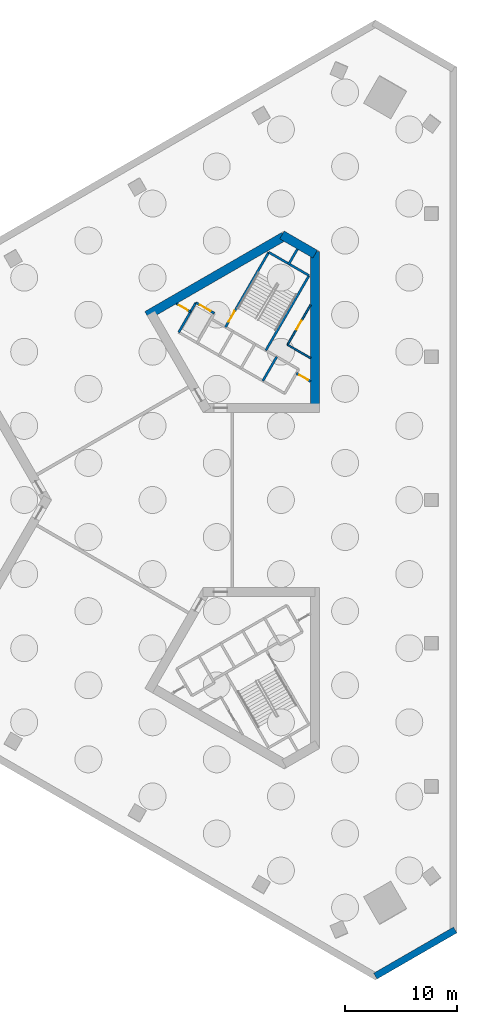
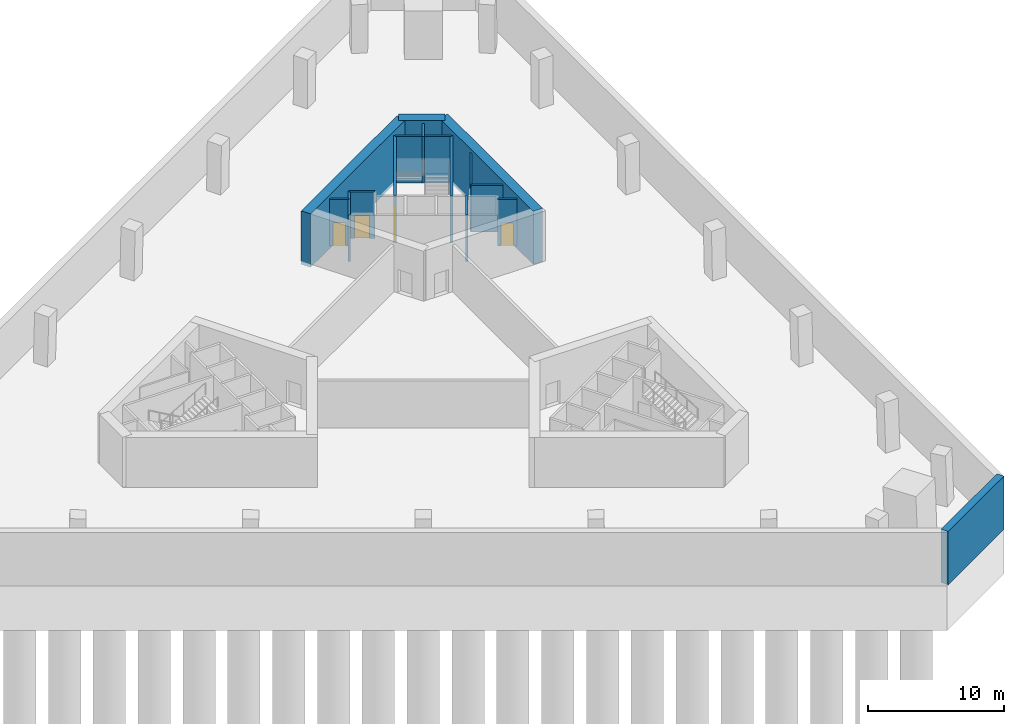
# One storey, part 4 of 7: 15 walls, 5 doors, 5 openings.
"""IFC4 building model written with IfcOpenShell, lengths in metres."""

from ifc_helpers import new_model, si_unit, direction, frame, frame_2d, origin, place, context, subcontext, project, spatial, rectangle, extrude, material, layer, layer_set, type_object, element, fill, save


model = new_model("IFC4")

# Units and contexts
model_context = context("Model", 3, precision=1e-05, world=origin(), true_north=direction((0.0, 1.0)))
body_context = subcontext(model_context, "Body", "Model", "MODEL_VIEW")
ifc_project = project(units=[si_unit("LENGTHUNIT", "METRE"), si_unit("AREAUNIT", "SQUARE_METRE"), si_unit("VOLUMEUNIT", "CUBIC_METRE"), si_unit("PLANEANGLEUNIT", "RADIAN"), si_unit("MASSUNIT", "GRAM", prefix="KILO")], contexts=[model_context])

# Site, building, storey
site_placement = place(None, origin())
site = spatial("IfcSite", under=ifc_project, at=site_placement, CompositionType="ELEMENT")
building_placement = place(site_placement, origin())
building = spatial("IfcBuilding", under=site, at=building_placement, Name="Jabali Bay Hotel Tower and Convention Centre", CompositionType="ELEMENT")
storey_placement = place(building_placement, frame((0.0, 0.0, -9.0)))
storey = spatial("IfcBuildingStorey", under=building, at=storey_placement, Name="B2", CompositionType="ELEMENT", Elevation=-9.0)

# Wall
ifc_material_1 = material(Name="Concrete C40", Category="concrete")
ifc_layer_1 = layer(ifc_material_1, 0.199951171875)
ifc_layer_set_1 = layer_set([ifc_layer_1], Name="Concrete C40")
wall_type_1 = type_object("IfcWallType", Name="Core partition wall 200", PredefinedType="PARTITIONING", material=ifc_layer_set_1)
wall_1_placement = place(storey_placement, frame((87.090087890625, 100.9404296875, 0.0), z_axis=(0.0, 0.0, 1.0), x_axis=(0.499956811548, 0.866050337213, 0.0)))
element("IfcWall", 1, at=wall_1_placement, inside=storey, type_object=wall_type_1, Name="Core wall 1.5 B2", PredefinedType="PARTITIONING", context=body_context, shape_type="SweptSolid", body=[
    extrude(rectangle(XDim=1.623291015625, YDim=0.199951171875, at=frame_2d((0.8115234375, 0.0))), origin(), (0.0, 0.0, 1.0), 4.199951171875),
])

# Wall, opening, door
wall_2_placement = place(storey_placement, frame((89.080078125, 90.553955078125, 0.0), z_axis=(0.0, 0.0, 1.0), x_axis=(-0.866022048785, 0.500005810984, 0.0)))
wall_2 = element("IfcWall", 2, at=wall_2_placement, inside=storey, type_object=wall_type_1, Name="Core wall 1.11 B2", PredefinedType="PARTITIONING", context=body_context, shape_type="SweptSolid", body=[
    extrude(rectangle(XDim=1.466796875, YDim=0.199951171875, at=frame_2d((0.7333984375, 0.0))), origin(), (0.0, 0.0, 1.0), 4.199951171875),
])
opening_1_placement = place(wall_2_placement, frame((0.283447265625, 0.0, 0.0)))
opening_1 = element("IfcOpeningElement", 3, at=opening_1_placement, cuts=wall_2, Name="Opening D79", PredefinedType="OPENING", context=body_context, shape_type="SweptSolid", body=[
    extrude(rectangle(XDim=0.89990234375, YDim=2.10009765625, at=frame_2d((0.449951171875, 1.050048828125))), frame((0.0, 0.1103515625, 0.0), z_axis=(0.0, -1.0, 0.0), x_axis=(1.0, 0.0, 0.0)), (0.0, 0.0, 1.0), 0.220947265625),
])
ifc_material_2 = material(Name="Fire-rated steel door", Category="steel")
door_type_1 = type_object("IfcDoorType", Name="Vestibule fire door 900 x 2100", OperationType="NOTDEFINED", PredefinedType="NOTDEFINED", material=ifc_material_2)
door_1_placement = place(opening_1_placement, origin())
door_1 = element("IfcDoor", 4, at=door_1_placement, inside=storey, type_object=door_type_1, Name="Vestibule fire door D79", OperationType="SINGLE_SWING_LEFT", OverallHeight=2.10009765625, OverallWidth=0.89990234375, PredefinedType="NOTDEFINED", context=body_context, shape_type="SweptSolid", body=[
    extrude(rectangle(XDim=0.89990234375, YDim=2.10009765625, at=frame_2d((0.449951171875, 1.050048828125))), frame((0.0, 0.02490234375, 0.0), z_axis=(0.0, -1.0, 0.0), x_axis=(1.0, 0.0, 0.0)), (0.0, 0.0, 1.0), 0.050048828125),
])
fill(opening_1, door_1)

wall_3_placement = place(storey_placement, frame((78.380126953125, 96.754638671875, 0.0), z_axis=(0.0, 0.0, 1.0), x_axis=(-0.866003949776, 0.500037157592, 0.0)))
wall_3 = element("IfcWall", 5, at=wall_3_placement, inside=storey, type_object=wall_type_1, Name="Core wall 1.12 B2", PredefinedType="PARTITIONING", context=body_context, shape_type="SweptSolid", body=[
    extrude(rectangle(XDim=1.455078125, YDim=0.199951171875, at=frame_2d((0.7275390625, 0.0))), origin(), (0.0, 0.0, 1.0), 4.199951171875),
])
opening_2_placement = place(wall_3_placement, frame((0.277587890625, 0.0, 0.0)))
opening_2 = element("IfcOpeningElement", 6, at=opening_2_placement, cuts=wall_3, Name="Opening D78", PredefinedType="OPENING", context=body_context, shape_type="SweptSolid", body=[
    extrude(rectangle(XDim=0.89990234375, YDim=2.10009765625, at=frame_2d((0.449951171875, 1.050048828125))), frame((0.0, 0.1103515625, 0.0), z_axis=(0.0, -1.0, 0.0), x_axis=(1.0, 0.0, 0.0)), (0.0, 0.0, 1.0), 0.220947265625),
])
door_2_placement = place(opening_2_placement, origin())
door_2 = element("IfcDoor", 7, at=door_2_placement, inside=storey, type_object=door_type_1, Name="Vestibule fire door D78", OperationType="SINGLE_SWING_LEFT", OverallHeight=2.10009765625, OverallWidth=0.89990234375, PredefinedType="NOTDEFINED", context=body_context, shape_type="SweptSolid", body=[
    extrude(rectangle(XDim=0.89990234375, YDim=2.10009765625, at=frame_2d((0.449951171875, 1.050048828125))), frame((0.0, 0.02490234375, 0.0), z_axis=(0.0, -1.0, 0.0), x_axis=(1.0, 0.0, 0.0)), (0.0, 0.0, 1.0), 0.050048828125),
])
fill(opening_2, door_2)

ifc_material_3 = material(Name="Fire-rated board partition")
ifc_layer_2 = layer(ifc_material_3, 0.14990234375)
ifc_layer_set_2 = layer_set([ifc_layer_2], Name="Fire-rated board partition")
wall_type_2 = type_object("IfcWallType", Name="Core room partition 150", PredefinedType="PARTITIONING", material=ifc_layer_set_2)
wall_4_placement = place(storey_placement, frame((87.02099609375, 93.821044921875, 0.0), z_axis=(0.0, 0.0, 1.0), x_axis=(0.500028662945, 0.866008854593, 0.0)))
wall_4 = element("IfcWall", 8, at=wall_4_placement, inside=storey, type_object=wall_type_2, Name="Core wall 1.1 B2", PredefinedType="PARTITIONING", context=body_context, shape_type="SweptSolid", body=[
    extrude(rectangle(XDim=4.117919921875, YDim=0.14990234375, at=frame_2d((2.05908203125, 0.0))), origin(), (0.0, 0.0, 1.0), 4.199951171875),
])
opening_3_placement = place(wall_4_placement, frame((1.58154296875, 0.0, 0.0)))
opening_3 = element("IfcOpeningElement", 9, at=opening_3_placement, cuts=wall_4, Name="Opening D81", PredefinedType="OPENING", context=body_context, shape_type="SweptSolid", body=[
    extrude(rectangle(XDim=0.89990234375, YDim=2.10009765625, at=frame_2d((0.449951171875, 1.050048828125))), frame((0.0, 0.08544921875, 0.0), z_axis=(0.0, -1.0, 0.0), x_axis=(1.0, 0.0, 0.0)), (0.0, 0.0, 1.0), 0.1708984375),
])
door_type_2 = type_object("IfcDoorType", Name="Core room door 900 x 2100", OperationType="NOTDEFINED", PredefinedType="NOTDEFINED", material=ifc_material_2)
door_3_placement = place(opening_3_placement, origin())
door_3 = element("IfcDoor", 10, at=door_3_placement, inside=storey, type_object=door_type_2, Name="Core room door D81", OperationType="SINGLE_SWING_LEFT", OverallHeight=2.10009765625, OverallWidth=0.89990234375, PredefinedType="NOTDEFINED", context=body_context, shape_type="SweptSolid", body=[
    extrude(rectangle(XDim=0.89990234375, YDim=2.10009765625, at=frame_2d((0.449951171875, 1.050048828125))), frame((0.0, 0.02490234375, 0.0), z_axis=(0.0, -1.0, 0.0), x_axis=(1.0, 0.0, 0.0)), (0.0, 0.0, 1.0), 0.050048828125),
])
fill(opening_3, door_3)

# Walls
wall_5_placement = place(storey_placement, frame((89.080078125, 92.63232421875, 0.0), z_axis=(0.0, 0.0, 1.0), x_axis=(-0.866041951395, 0.499971337603, 0.0)))
element("IfcWall", 11, at=wall_5_placement, inside=storey, type_object=wall_type_2, Name="Core wall 1.15 B2", PredefinedType="PARTITIONING", context=body_context, shape_type="SweptSolid", body=[
    extrude(rectangle(XDim=2.377685546875, YDim=0.14990234375, at=frame_2d((1.18896484375, 0.0))), origin(), (0.0, 0.0, 1.0), 4.199951171875),
])
ifc_layer_3 = layer(ifc_material_1, 0.199951171875)
ifc_layer_set_3 = layer_set([ifc_layer_3], Name="Concrete C40")
wall_type_3 = type_object("IfcWallType", Name="Core stair wall 200", PredefinedType="SOLIDWALL", material=ifc_layer_set_3)
wall_6_placement = place(storey_placement, frame((84.8212890625, 90.61083984375, 0.0), z_axis=(0.0, 0.0, 1.0), x_axis=(0.499961042966, 0.86604789447, 0.0)))
element("IfcWall", 12, at=wall_6_placement, inside=storey, type_object=wall_type_3, Name="Core wall 1.2 B2", PredefinedType="SOLIDWALL", context=body_context, shape_type="SweptSolid", body=[
    extrude(rectangle(XDim=2.480224609375, YDim=0.199951171875, at=frame_2d((1.240234375, 0.0))), origin(), (0.0, 0.0, 1.0), 4.199951171875),
])
wall_7_placement = place(storey_placement, frame((85.0869140625, 93.3212890625, 0.0), z_axis=(0.0, 0.0, 1.0), x_axis=(0.500019787375, 0.866013979237, 0.0)))
element("IfcWall", 13, at=wall_7_placement, inside=storey, type_object=wall_type_3, Name="Core wall 1.3 B2", PredefinedType="SOLIDWALL", context=body_context, shape_type="SweptSolid", body=[
    extrude(rectangle(XDim=7.699951171875, YDim=0.199951171875, at=frame_2d((3.85009765625, 0.0))), origin(), (0.0, 0.0, 1.0), 4.199951171875),
])

# Wall, opening, door
wall_8_placement = place(storey_placement, frame((81.492919921875, 95.396240234375, 0.0), z_axis=(0.0, 0.0, 1.0), x_axis=(0.500006057782, 0.866021906294, 0.0)))
wall_8 = element("IfcWall", 14, at=wall_8_placement, inside=storey, type_object=wall_type_3, Name="Core wall 1.7 B2", PredefinedType="SOLIDWALL", context=body_context, shape_type="SweptSolid", body=[
    extrude(rectangle(XDim=7.7001953125, YDim=0.199951171875, at=frame_2d((3.85009765625, 0.0))), origin(), (0.0, 0.0, 1.0), 4.199951171875),
])
opening_4_placement = place(wall_8_placement, frame((0.550048828125, 0.0, 0.0)))
opening_4 = element("IfcOpeningElement", 15, at=opening_4_placement, cuts=wall_8, Name="Opening D80", PredefinedType="OPENING", context=body_context, shape_type="SweptSolid", body=[
    extrude(rectangle(XDim=1.10009765625, YDim=2.10009765625, at=frame_2d((0.550048828125, 1.050048828125))), frame((0.0, 0.1103515625, 0.0), z_axis=(0.0, -1.0, 0.0), x_axis=(1.0, 0.0, 0.0)), (0.0, 0.0, 1.0), 0.220947265625),
])
door_type_3 = type_object("IfcDoorType", Name="Stair fire door 1100 x 2100", OperationType="NOTDEFINED", PredefinedType="NOTDEFINED", material=ifc_material_2)
door_4_placement = place(opening_4_placement, origin())
door_4 = element("IfcDoor", 16, at=door_4_placement, inside=storey, type_object=door_type_3, Name="Stair fire door D80", OperationType="SINGLE_SWING_RIGHT", OverallHeight=2.10009765625, OverallWidth=1.10009765625, PredefinedType="NOTDEFINED", context=body_context, shape_type="SweptSolid", body=[
    extrude(rectangle(XDim=1.10009765625, YDim=2.10009765625, at=frame_2d((0.550048828125, 1.050048828125))), frame((0.0, 0.02490234375, 0.0), z_axis=(0.0, -1.0, 0.0), x_axis=(1.0, 0.0, 0.0)), (0.0, 0.0, 1.0), 0.050048828125),
])
fill(opening_4, door_4)

# Wall
wall_9_placement = place(storey_placement, frame((77.330078125, 94.93603515625, 0.0), z_axis=(0.0, 0.0, 1.0), x_axis=(0.500038867431, 0.8660029625, 0.0)))
element("IfcWall", 17, at=wall_9_placement, inside=storey, type_object=wall_type_3, Name="Core wall 1.9 B2", PredefinedType="SOLIDWALL", context=body_context, shape_type="SweptSolid", body=[
    extrude(rectangle(XDim=3.050048828125, YDim=0.199951171875, at=frame_2d((1.52490234375, 0.0))), origin(), (0.0, 0.0, 1.0), 4.199951171875),
])

# Wall, opening, door
wall_10_placement = place(storey_placement, frame((80.50048828125, 96.62744140625, 0.0), z_axis=(0.0, 0.0, 1.0), x_axis=(-0.86601224135, 0.500022797313, 0.0)))
wall_10 = element("IfcWall", 18, at=wall_10_placement, inside=storey, type_object=wall_type_3, Name="Core wall 1.14 B2", PredefinedType="SOLIDWALL", context=body_context, shape_type="SweptSolid", body=[
    extrude(rectangle(XDim=1.89990234375, YDim=0.199951171875, at=frame_2d((0.949951171875, 0.0))), origin(), (0.0, 0.0, 1.0), 4.199951171875),
])
opening_5_placement = place(wall_10_placement, frame((0.39990234375, 0.0, 0.0)))
opening_5 = element("IfcOpeningElement", 19, at=opening_5_placement, cuts=wall_10, Name="Opening LD10-B2", PredefinedType="OPENING", context=body_context, shape_type="SweptSolid", body=[
    extrude(rectangle(XDim=1.10009765625, YDim=2.10009765625, at=frame_2d((0.550048828125, 1.050048828125))), frame((0.0, 0.1103515625, 0.0), z_axis=(0.0, -1.0, 0.0), x_axis=(1.0, 0.0, 0.0)), (0.0, 0.0, 1.0), 0.220947265625),
])
ifc_material_4 = material(Name="Stainless steel landing door", Category="steel")
door_type_4 = type_object("IfcDoorType", Name="Landing door 1100 x 2100", OperationType="NOTDEFINED", PredefinedType="NOTDEFINED", material=ifc_material_4)
door_5_placement = place(opening_5_placement, origin())
door_5 = element("IfcDoor", 20, at=door_5_placement, inside=storey, type_object=door_type_4, Name="Landing doors LD10-B2", OperationType="SLIDING_TO_RIGHT", OverallHeight=2.10009765625, OverallWidth=1.10009765625, PredefinedType="NOTDEFINED", context=body_context, shape_type="SweptSolid", body=[
    extrude(rectangle(XDim=1.10009765625, YDim=2.10009765625, at=frame_2d((0.550048828125, 1.050048828125))), frame((0.0, 0.02490234375, 0.0), z_axis=(0.0, -1.0, 0.0), x_axis=(1.0, 0.0, 0.0)), (0.0, 0.0, 1.0), 0.050048828125),
])
fill(opening_5, door_5)

# Walls
wall_11_placement = place(storey_placement, frame((88.93701171875, 99.989501953125, 0.0), z_axis=(0.0, 0.0, 1.0), x_axis=(-0.866004344652, 0.500036473714, 0.0)))
element("IfcWall", 21, at=wall_11_placement, inside=storey, type_object=wall_type_3, Name="Core wall 1.16 B2", PredefinedType="SOLIDWALL", context=body_context, shape_type="SweptSolid", body=[
    extrude(rectangle(XDim=4.150146484375, YDim=0.199951171875, at=frame_2d((2.0751953125, 0.0))), origin(), (0.0, 0.0, 1.0), 4.199951171875),
])
ifc_material_5 = material(Name="Concrete C60", Category="concrete")
ifc_layer_4 = layer(ifc_material_5, 0.800048828125)
ifc_layer_set_4 = layer_set([ifc_layer_4], Name="Concrete C60")
wall_type_4 = type_object("IfcWallType", Name="Core wall 800", PredefinedType="SHEAR", material=ifc_layer_set_4)
wall_12_placement = place(storey_placement, frame((89.47998046875, 88.1943359375, -0.300048828125), z_axis=(0.0, 0.0, 1.0), x_axis=(0.0, 1.0, 0.0)))
element("IfcWall", 22, at=wall_12_placement, inside=storey, type_object=wall_type_4, Name="Core wall 2.2 B2", PredefinedType="SHEAR", context=body_context, shape_type="SweptSolid", body=[
    extrude(rectangle(XDim=13.933349609375, YDim=0.800048828125, at=frame_2d((6.966796875, 0.0))), origin(), (0.0, 0.0, 1.0), 4.800048828125),
])
wall_13_placement = place(storey_placement, frame((89.47998046875, 101.896728515625, -0.300048828125), z_axis=(0.0, 0.0, 1.0), x_axis=(-0.866034355626, 0.499984494636, 0.0)))
element("IfcWall", 23, at=wall_13_placement, inside=storey, type_object=wall_type_4, Name="Core wall 2.3 B2", PredefinedType="SHEAR", context=body_context, shape_type="SweptSolid", body=[
    extrude(rectangle(XDim=3.4140625, YDim=0.800048828125, at=frame_2d((1.70703125, 0.0))), origin(), (0.0, 0.0, 1.0), 4.800048828125),
])
wall_14_placement = place(storey_placement, frame((86.72314453125, 103.48828125, -0.300048828125), z_axis=(0.0, 0.0, 1.0), x_axis=(-0.866032504327, -0.499987701298, 0.0)))
element("IfcWall", 24, at=wall_14_placement, inside=storey, type_object=wall_type_4, Name="Core wall 2.4 B2", PredefinedType="SHEAR", context=body_context, shape_type="SweptSolid", body=[
    extrude(rectangle(XDim=14.102294921875, YDim=0.800048828125, at=frame_2d((7.05126953125, 0.0))), origin(), (0.0, 0.0, 1.0), 4.800048828125),
])
ifc_layer_5 = layer(ifc_material_1, 0.60009765625)
ifc_layer_set_5 = layer_set([ifc_layer_5], Name="Concrete C40")
wall_type_5 = type_object("IfcWallType", Name="Retaining wall 600", PredefinedType="SOLIDWALL", material=ifc_layer_set_5)
wall_15_placement = place(storey_placement, frame((94.83984375, 37.599609375, -0.300048828125), z_axis=(0.0, 0.0, 1.0), x_axis=(0.866027617105, 0.499996166398, 0.0)))
element("IfcWall", 25, at=wall_15_placement, inside=storey, type_object=wall_type_5, Name="Retaining wall B2 6", PredefinedType="SOLIDWALL", context=body_context, shape_type="SweptSolid", body=[
    extrude(rectangle(XDim=8.2099609375, YDim=0.60009765625, at=frame_2d((4.10498046875, 0.0))), origin(), (0.0, 0.0, 1.0), 4.800048828125),
])

save(model, "model.ifc")
